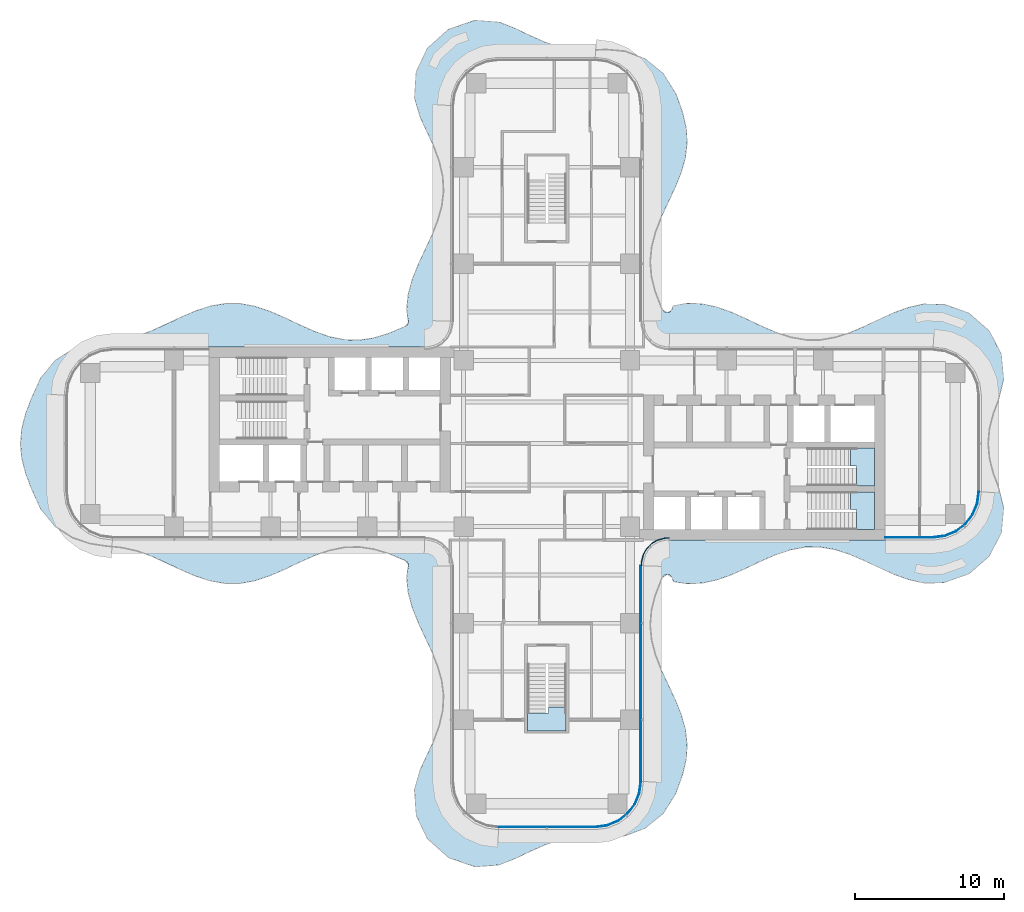
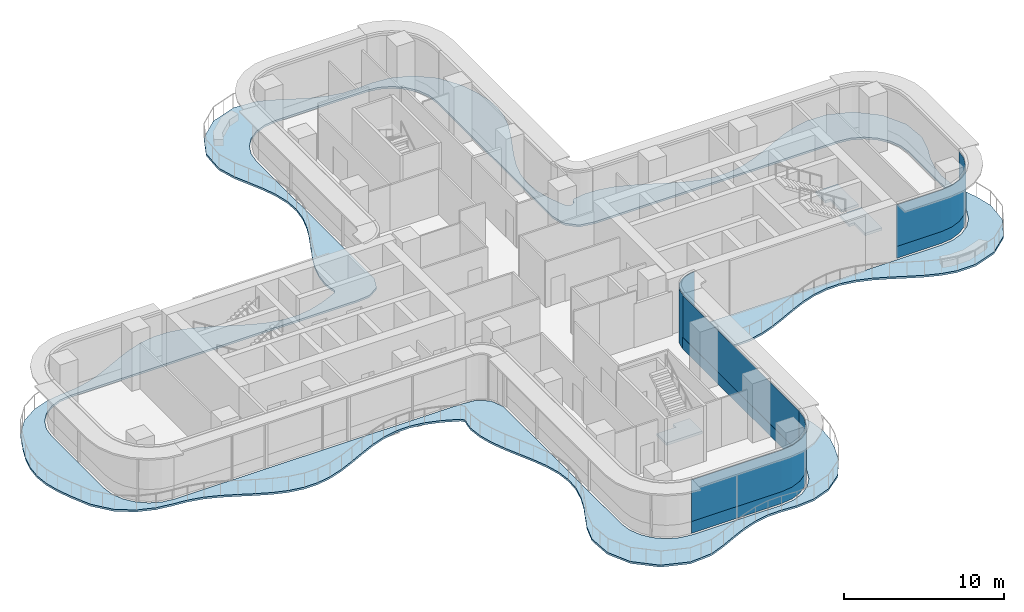
# One storey, part 13 of 20: 7 plates, 4 slabs, 7 elements without a shape of their own.
"""IFC4 building model written with IfcOpenShell, lengths in metres."""

from ifc_helpers import new_model, si_unit, direction, frame, origin, place, context, subcontext, project, spatial, polyline, outline, extrude, source, transform, mapped, material, layer, layer_set, type_object, element, aggregate, save


model = new_model("IFC4")

# Units and contexts
model_context = context("Model", 3, precision=1e-05, world=origin(), true_north=direction((0.0, 1.0)))
body_context = subcontext(model_context, "Body", "Model", "MODEL_VIEW")
ifc_project = project(units=[si_unit("LENGTHUNIT", "METRE"), si_unit("AREAUNIT", "SQUARE_METRE"), si_unit("VOLUMEUNIT", "CUBIC_METRE"), si_unit("PLANEANGLEUNIT", "RADIAN"), si_unit("MASSUNIT", "GRAM", prefix="KILO")], contexts=[model_context])

# Site, building, storey
site_placement = place(None, origin())
site = spatial("IfcSite", under=ifc_project, at=site_placement, CompositionType="ELEMENT")
building_placement = place(site_placement, origin())
building = spatial("IfcBuilding", under=site, at=building_placement, Name="Trellis Farm Tower", CompositionType="ELEMENT")
storey_placement = place(building_placement, frame((0.0, 0.0, 133.5)))
storey = spatial("IfcBuildingStorey", under=building, at=storey_placement, Name="L28", CompositionType="ELEMENT", Elevation=133.5)

# Slab
ifc_material_1 = material(Name="Concrete C40/50", Category="concrete")
ifc_layer_1 = layer(ifc_material_1, 0.14990234375)
ifc_layer_set_1 = layer_set([ifc_layer_1], Name="Balcony slab 150")
slab_type_1 = type_object("IfcSlabType", Name="Balcony slab 150", PredefinedType="FLOOR", material=ifc_layer_set_1)
slab_1_placement = place(storey_placement, frame((0.0, 0.0, -0.14990234375)))
element("IfcSlab", 1, at=slab_1_placement, inside=storey, type_object=slab_type_1, Name="Balcony slab", PredefinedType="FLOOR", context=body_context, shape_type="SweptSolid", body=[
    extrude(outline(polyline([(-9.318359375, 8.184326171875), (-9.33349609375, 8.32666015625), (-9.33740234375, 8.344482421875), (-9.363037109375, 8.413818359375), (-9.37109375, 8.44677734375), (-9.445068359375, 9.033203125), (-9.445556640625, 9.06787109375), (-9.343505859375, 10.0283203125), (-9.339111328125, 10.051513671875), (-9.082275390625, 11.005615234375), (-9.076904296875, 11.02197265625), (-8.68212890625, 12.02099609375), (-8.678466796875, 12.029296875), (-7.75634765625, 14.003662109375), (-7.7548828125, 14.00732421875), (-7.35791015625, 14.989501953125), (-7.355224609375, 14.9970703125), (-7.078369140625, 15.975830078125), (-7.075927734375, 15.9873046875), (-6.95654296875, 16.966796875), (-6.956298828125, 16.97998046875), (-7.012451171875, 17.966064453125), (-7.01416015625, 17.978515625), (-7.25439453125, 19.014404296875), (-7.257080078125, 19.023681640625), (-7.6220703125, 20.00390625), (-7.624267578125, 20.009521484375), (-8.533447265625, 21.96630859375), (-8.54150390625, 21.9873046875), (-8.906982421875, 23.22998046875), (-8.912353515625, 23.255615234375), (-8.916015625, 23.289306640625), (-8.91650390625, 23.315185546875), (-8.81298828125, 24.962890625), (-8.80859375, 24.99072265625), (-8.799560546875, 25.026123046875), (-8.7900390625, 25.052490234375), (-8.091064453125, 26.540283203125), (-8.075927734375, 26.56591796875), (-8.052978515625, 26.5966796875), (-8.033203125, 26.61865234375), (-6.68359375, 27.840576171875), (-6.659423828125, 27.8583984375), (-6.6259765625, 27.87841796875), (-6.5986328125, 27.89111328125), (-4.8828125, 28.486328125), (-4.852783203125, 28.493408203125), (-4.813720703125, 28.49853515625), (-4.781982421875, 28.499267578125), (-3.206298828125, 28.367431640625), (-3.16259765625, 28.35693359375), (-2.122802734375, 27.9365234375), (-2.114501953125, 27.932861328125), (-1.132080078125, 27.465576171875), (-1.130126953125, 27.464599609375), (-0.146240234375, 27.030029296875), (-0.14013671875, 27.027587890625), (0.8857421875, 26.67724609375), (0.89599609375, 26.674560546875), (1.88818359375, 26.48486328125), (1.900634765625, 26.483642578125), (2.872802734375, 26.464599609375), (2.87890625, 26.464599609375), (3.950927734375, 26.53173828125), (3.9736328125, 26.531494140625), (5.22509765625, 26.419921875), (5.263916015625, 26.4111328125), (6.563720703125, 25.92919921875), (6.605712890625, 25.905517578125), (7.7978515625, 24.94580078125), (7.830810546875, 24.90869140625), (8.695556640625, 23.534423828125), (8.710205078125, 23.50439453125), (9.146484375, 22.265380859375), (9.15087890625, 22.24951171875), (9.38330078125, 21.24951171875), (9.386962890625, 21.224365234375), (9.4453125, 20.252685546875), (9.4443359375, 20.225830078125), (9.328369140625, 19.256103515625), (9.323974609375, 19.2333984375), (9.0556640625, 18.2783203125), (9.05029296875, 18.2626953125), (8.64794921875, 17.263671875), (8.644775390625, 17.256103515625), (7.714599609375, 15.262939453125), (7.712890625, 15.2587890625), (7.319091796875, 14.25830078125), (7.31640625, 14.25), (7.052734375, 13.254638671875), (7.050537109375, 13.242919921875), (6.95361328125, 12.255126953125), (6.95361328125, 12.24169921875), (7.033203125, 11.260986328125), (7.03515625, 11.2490234375), (7.2783203125, 10.2705078125), (7.281005859375, 10.261962890625), (7.644287109375, 9.30615234375), (7.646484375, 9.300537109375), (7.783935546875, 9.01220703125), (7.794921875, 8.9951171875), (7.896728515625, 8.87841796875), (7.92919921875, 8.856689453125), (8.06689453125, 8.811279296875), (8.10595703125, 8.809326171875), (8.24755859375, 8.8408203125), (8.281982421875, 8.859130859375), (8.3876953125, 8.95849609375), (8.407958984375, 8.99169921875), (8.451416015625, 9.142822265625), (8.454345703125, 9.158203125), (8.455078125, 9.1708984375), (8.494384765625, 9.261962890625), (8.581787109375, 9.30859375), (9.4208984375, 9.438720703125), (9.449462890625, 9.440185546875), (10.417724609375, 9.404052734375), (10.44287109375, 9.40087890625), (11.3916015625, 9.20263671875), (11.41064453125, 9.197265625), (12.41015625, 8.84521484375), (12.421630859375, 8.8408203125), (13.40673828125, 8.40087890625), (13.409912109375, 8.3994140625), (14.407470703125, 7.92529296875), (14.40966796875, 7.92431640625), (15.411865234375, 7.48876953125), (15.418212890625, 7.486083984375), (16.416259765625, 7.156494140625), (16.426513671875, 7.154052734375), (17.418212890625, 6.977294921875), (17.43115234375, 6.97607421875), (18.41455078125, 6.974609375), (18.427490234375, 6.9755859375), (19.406494140625, 7.146484375), (19.416748046875, 7.14892578125), (20.396240234375, 7.4677734375), (20.402587890625, 7.47021484375), (21.3740234375, 7.88818359375), (21.376708984375, 7.889404296875), (22.37841796875, 8.36474609375), (22.381103515625, 8.365966796875), (23.376220703125, 8.814208984375), (23.38671875, 8.818603515625), (24.352294921875, 9.16845703125), (24.37060546875, 9.173828125), (25.3310546875, 9.38818359375), (25.36669921875, 9.3916015625), (26.74951171875, 9.36328125), (26.796142578125, 9.35498046875), (28.3486328125, 8.80859375), (28.374267578125, 8.796630859375), (28.406005859375, 8.7783203125), (28.428955078125, 8.761962890625), (29.748046875, 7.6162109375), (29.767578125, 7.595458984375), (29.79052734375, 7.56640625), (29.805908203125, 7.54248046875), (30.5830078125, 6.0341796875), (30.59375, 6.0078125), (30.60400390625, 5.97265625), (30.609375, 5.943603515625), (30.752197265625, 4.325439453125), (30.748291015625, 4.2763671875), (30.438720703125, 3.0205078125), (30.43310546875, 3.0029296875), (30.055419921875, 2.016357421875), (30.052978515625, 2.00830078125), (29.798583984375, 1.0302734375), (29.79638671875, 1.018310546875), (29.70361328125, 0.038330078125), (29.70361328125, 0.024658203125), (29.79638671875, -1.018310546875), (29.798583984375, -1.030517578125), (30.052978515625, -2.00830078125), (30.055419921875, -2.016357421875), (30.43310546875, -3.0029296875), (30.438720703125, -3.0205078125), (30.748291015625, -4.2763671875), (30.752197265625, -4.325439453125), (30.609375, -5.943603515625), (30.60400390625, -5.97265625), (30.59375, -6.0078125), (30.5830078125, -6.0341796875), (29.805908203125, -7.54248046875), (29.79052734375, -7.56640625), (29.767578125, -7.595458984375), (29.748046875, -7.6162109375), (28.428955078125, -8.761962890625), (28.406005859375, -8.7783203125), (28.37451171875, -8.79638671875), (28.348388671875, -8.80859375), (26.741455078125, -9.364990234375), (26.69482421875, -9.373046875), (25.40673828125, -9.395751953125), (25.372314453125, -9.392578125), (24.392822265625, -9.18017578125), (24.37353515625, -9.1748046875), (23.37451171875, -8.813720703125), (23.36376953125, -8.809326171875), (22.381103515625, -8.365966796875), (22.37841796875, -8.36474609375), (21.376708984375, -7.889404296875), (21.3740234375, -7.88818359375), (20.372314453125, -7.458740234375), (20.365478515625, -7.456298828125), (19.367919921875, -7.136962890625), (19.357421875, -7.134521484375), (18.366455078125, -6.970703125), (18.353271484375, -6.969482421875), (17.3701171875, -6.981689453125), (17.357421875, -6.98291015625), (16.378662109375, -7.166259765625), (16.36865234375, -7.168701171875), (15.388916015625, -7.497314453125), (15.3828125, -7.499755859375), (14.40966796875, -7.92431640625), (14.407470703125, -7.92529296875), (13.40625, -8.401123046875), (13.40283203125, -8.402587890625), (12.408447265625, -8.845947265625), (12.397216796875, -8.850341796875), (11.43310546875, -9.19091796875), (11.4140625, -9.1962890625), (10.443115234375, -9.40087890625), (10.417724609375, -9.404052734375), (9.44873046875, -9.440185546875), (9.42138671875, -9.438720703125), (8.58349609375, -9.316162109375), (8.495361328125, -9.269775390625), (8.455810546875, -9.178466796875), (8.454345703125, -9.158203125), (8.451416015625, -9.142822265625), (8.407958984375, -8.99169921875), (8.3876953125, -8.95849609375), (8.281982421875, -8.859130859375), (8.24755859375, -8.8408203125), (8.10595703125, -8.809326171875), (8.06689453125, -8.811279296875), (7.92919921875, -8.856689453125), (7.896728515625, -8.87841796875), (7.794921875, -8.995361328125), (7.783935546875, -9.011962890625), (7.658447265625, -9.27294921875), (7.656005859375, -9.27880859375), (7.281005859375, -10.261962890625), (7.2783203125, -10.2705078125), (7.03515625, -11.2490234375), (7.033203125, -11.260986328125), (6.95361328125, -12.24169921875), (6.95361328125, -12.255126953125), (7.050537109375, -13.242919921875), (7.052734375, -13.254638671875), (7.31640625, -14.25), (7.319091796875, -14.25830078125), (7.712890625, -15.2587890625), (7.714599609375, -15.262939453125), (8.644775390625, -17.25634765625), (8.64794921875, -17.263427734375), (9.044189453125, -18.244384765625), (9.049560546875, -18.260009765625), (9.32373046875, -19.233154296875), (9.328369140625, -19.256591796875), (9.4453125, -20.2568359375), (9.446044921875, -20.283935546875), (9.3828125, -21.25341796875), (9.379150390625, -21.278076171875), (9.15087890625, -22.249267578125), (9.146240234375, -22.265380859375), (8.693115234375, -23.539794921875), (8.678466796875, -23.56982421875), (7.83056640625, -24.908935546875), (7.7978515625, -24.945556640625), (6.605712890625, -25.905517578125), (6.563720703125, -25.92919921875), (5.263916015625, -26.4111328125), (5.22509765625, -26.419921875), (3.9736328125, -26.531494140625), (3.950927734375, -26.53173828125), (2.87890625, -26.464599609375), (2.872802734375, -26.464599609375), (1.900634765625, -26.483642578125), (1.88818359375, -26.48486328125), (0.89599609375, -26.674560546875), (0.8857421875, -26.67724609375), (-0.14013671875, -27.027587890625), (-0.146240234375, -27.030029296875), (-1.130126953125, -27.464599609375), (-1.132080078125, -27.465576171875), (-2.123779296875, -27.93701171875), (-2.1328125, -27.94091796875), (-3.214111328125, -28.369384765625), (-3.2578125, -28.37939453125), (-4.782470703125, -28.499267578125), (-4.813232421875, -28.49853515625), (-4.852783203125, -28.493408203125), (-4.8828125, -28.486328125), (-6.5986328125, -27.89111328125), (-6.6259765625, -27.87841796875), (-6.659423828125, -27.8583984375), (-6.68359375, -27.840576171875), (-8.033203125, -26.61865234375), (-8.052978515625, -26.5966796875), (-8.075927734375, -26.56591796875), (-8.091064453125, -26.540283203125), (-8.7900390625, -25.052490234375), (-8.799560546875, -25.026123046875), (-8.80859375, -24.99072265625), (-8.81298828125, -24.962890625), (-8.91650390625, -23.315185546875), (-8.916015625, -23.289306640625), (-8.912353515625, -23.255615234375), (-8.906982421875, -23.22998046875), (-8.54150390625, -21.9873046875), (-8.533447265625, -21.96630859375), (-7.624267578125, -20.009521484375), (-7.6220703125, -20.00390625), (-7.257080078125, -19.023681640625), (-7.25439453125, -19.014404296875), (-7.01416015625, -17.978515625), (-7.012451171875, -17.966064453125), (-6.956298828125, -16.97998046875), (-6.95654296875, -16.966796875), (-7.075927734375, -15.9873046875), (-7.078369140625, -15.975830078125), (-7.355224609375, -14.9970703125), (-7.35791015625, -14.989501953125), (-7.7548828125, -14.00732421875), (-7.75634765625, -14.003662109375), (-8.678466796875, -12.029296875), (-8.68212890625, -12.02099609375), (-9.076904296875, -11.02197265625), (-9.082275390625, -11.005615234375), (-9.339111328125, -10.051513671875), (-9.343505859375, -10.0283203125), (-9.445556640625, -9.06787109375), (-9.445068359375, -9.033203125), (-9.37109375, -8.44677734375), (-9.363037109375, -8.413818359375), (-9.33740234375, -8.344482421875), (-9.33349609375, -8.32666015625), (-9.318359375, -8.184326171875), (-9.323486328125, -8.1484375), (-9.3740234375, -8.024658203125), (-9.3955078125, -7.99560546875), (-9.506103515625, -7.904541015625), (-9.521728515625, -7.894775390625), (-9.669677734375, -7.824951171875), (-9.672607421875, -7.823486328125), (-10.655517578125, -7.41259765625), (-10.662353515625, -7.41015625), (-11.6416015625, -7.11181640625), (-11.65234375, -7.109375), (-12.631591796875, -6.964111328125), (-12.644775390625, -6.96337890625), (-13.62939453125, -6.9921875), (-13.64208984375, -6.99365234375), (-14.634765625, -7.196044921875), (-14.64453125, -7.19873046875), (-15.643310546875, -7.548095703125), (-15.649169921875, -7.550537109375), (-16.65185546875, -7.996826171875), (-16.6533203125, -7.997802734375), (-17.65380859375, -8.47314453125), (-17.658203125, -8.47509765625), (-18.63671875, -8.90185546875), (-18.6494140625, -8.90673828125), (-19.649169921875, -9.239501953125), (-19.66943359375, -9.24462890625), (-20.6162109375, -9.418701171875), (-20.641845703125, -9.421142578125), (-21.61181640625, -9.430419921875), (-21.638427734375, -9.42822265625), (-22.638916015625, -9.25830078125), (-22.659912109375, -9.253173828125), (-23.63525390625, -8.9365234375), (-23.648193359375, -8.931640625), (-24.625732421875, -8.510986328125), (-24.630859375, -8.5087890625), (-25.62451171875, -8.037109375), (-25.625732421875, -8.03662109375), (-26.6103515625, -7.59228515625), (-26.615478515625, -7.590087890625), (-27.595947265625, -7.23388671875), (-27.605224609375, -7.23095703125), (-28.6357421875, -7.00244140625), (-28.644775390625, -7.0009765625), (-29.672607421875, -6.90283203125), (-29.680908203125, -6.90185546875), (-30.761474609375, -6.73779296875), (-30.787109375, -6.7314453125), (-31.93017578125, -6.34228515625), (-31.962890625, -6.326416015625), (-33.10107421875, -5.593994140625), (-33.13623046875, -5.5625), (-34.092529296875, -4.38525390625), (-34.11279296875, -4.35205078125), (-34.71240234375, -3.0185546875), (-34.7158203125, -3.010498046875), (-35.0966796875, -2.010498046875), (-35.101806640625, -1.994873046875), (-35.353515625, -1.022216796875), (-35.357666015625, -0.99853515625), (-35.447265625, -0.029296875), (-35.447509765625, -0.002197265625), (-35.357666015625, 0.998291015625), (-35.353515625, 1.0224609375), (-35.101806640625, 1.994873046875), (-35.0966796875, 2.010498046875), (-34.7158203125, 3.010498046875), (-34.71240234375, 3.0185546875), (-34.11279296875, 4.35205078125), (-34.092529296875, 4.38525390625), (-33.13623046875, 5.5625), (-33.10107421875, 5.593994140625), (-31.962890625, 6.326416015625), (-31.93017578125, 6.34228515625), (-30.787109375, 6.7314453125), (-30.761474609375, 6.73779296875), (-29.680908203125, 6.90185546875), (-29.672607421875, 6.90283203125), (-28.644775390625, 7.0009765625), (-28.6357421875, 7.00244140625), (-27.605224609375, 7.23095703125), (-27.595947265625, 7.23388671875), (-26.615478515625, 7.590087890625), (-26.6103515625, 7.59228515625), (-25.625732421875, 8.03662109375), (-25.62451171875, 8.037109375), (-24.630859375, 8.5087890625), (-24.625732421875, 8.510986328125), (-23.648193359375, 8.931640625), (-23.63525390625, 8.9365234375), (-22.659912109375, 9.253173828125), (-22.638916015625, 9.25830078125), (-21.638427734375, 9.42822265625), (-21.61181640625, 9.430419921875), (-20.641845703125, 9.421142578125), (-20.6162109375, 9.418701171875), (-19.66943359375, 9.24462890625), (-19.649169921875, 9.239501953125), (-18.6494140625, 8.90673828125), (-18.63671875, 8.90185546875), (-17.658203125, 8.47509765625), (-17.65380859375, 8.47314453125), (-16.6533203125, 7.997802734375), (-16.65185546875, 7.996826171875), (-15.649169921875, 7.550537109375), (-15.643310546875, 7.548095703125), (-14.64453125, 7.19873046875), (-14.634765625, 7.196044921875), (-13.64208984375, 6.99365234375), (-13.62939453125, 6.9921875), (-12.64453125, 6.96337890625), (-12.631591796875, 6.964111328125), (-11.703857421875, 7.097900390625), (-11.69287109375, 7.100341796875), (-10.662841796875, 7.409912109375), (-10.655029296875, 7.412841796875), (-9.523193359375, 7.89453125), (-9.5048828125, 7.905517578125), (-9.3955078125, 7.99560546875), (-9.3740234375, 8.024658203125), (-9.323486328125, 8.1484375), (-9.318359375, 8.184326171875)]), holes=[polyline([(-7.642578125, -6.6201171875), (-6.938232421875, -7.076171875), (-6.903564453125, -7.107177734375), (-6.8671875, -7.151611328125), (-6.84375, -7.191650390625), (-6.529541015625, -7.9912109375), (-6.52197265625, -8.01708984375), (-6.51513671875, -8.0517578125), (-6.512451171875, -8.07861328125), (-6.50048828125, -8.98486328125), (-6.50048828125, -22.75), (-6.389892578125, -23.59130859375), (-6.065185546875, -24.375244140625), (-5.548583984375, -25.048583984375), (-4.875244140625, -25.565185546875), (-4.09130859375, -25.889892578125), (-3.25, -26.00048828125), (3.25, -26.00048828125), (4.09130859375, -25.889892578125), (4.875244140625, -25.565185546875), (5.548583984375, -25.048583984375), (6.065185546875, -24.375244140625), (6.389892578125, -23.59130859375), (6.50048828125, -22.75), (6.50048828125, -8.326416015625), (6.504150390625, -8.29638671875), (6.718017578125, -7.40869140625), (6.734375, -7.367919921875), (6.761474609375, -7.32177734375), (6.78857421875, -7.2880859375), (7.39697265625, -6.719970703125), (7.432373046875, -6.6953125), (7.48046875, -6.67138671875), (7.521728515625, -6.657958984375), (8.4248046875, -6.502197265625), (8.443115234375, -6.50048828125), (26.0, -6.50048828125), (26.84130859375, -6.389892578125), (27.625244140625, -6.065185546875), (28.298583984375, -5.548583984375), (28.815185546875, -4.875244140625), (29.139892578125, -4.09130859375), (29.25048828125, -3.25), (29.25048828125, 3.25), (29.139892578125, 4.09130859375), (28.815185546875, 4.875244140625), (28.298583984375, 5.548583984375), (27.625244140625, 6.065185546875), (26.84130859375, 6.389892578125), (26.0, 6.50048828125), (8.443115234375, 6.50048828125), (8.4248046875, 6.502197265625), (7.521728515625, 6.657958984375), (7.48046875, 6.67138671875), (7.432373046875, 6.6953125), (7.39697265625, 6.719970703125), (6.78857421875, 7.2880859375), (6.761474609375, 7.32177734375), (6.734375, 7.367919921875), (6.718017578125, 7.40869140625), (6.504150390625, 8.29638671875), (6.50048828125, 8.326416015625), (6.50048828125, 22.75), (6.389892578125, 23.59130859375), (6.065185546875, 24.375244140625), (5.548583984375, 25.048583984375), (4.875244140625, 25.565185546875), (4.09130859375, 25.889892578125), (3.25, 26.00048828125), (-3.25, 26.00048828125), (-4.09130859375, 25.889892578125), (-4.875244140625, 25.565185546875), (-5.548583984375, 25.048583984375), (-6.065185546875, 24.375244140625), (-6.389892578125, 23.59130859375), (-6.50048828125, 22.75), (-6.50048828125, 8.98486328125), (-6.512451171875, 8.07861328125), (-6.51513671875, 8.0517578125), (-6.52197265625, 8.01708984375), (-6.529541015625, 7.9912109375), (-6.84375, 7.191650390625), (-6.8671875, 7.151611328125), (-6.903564453125, 7.107177734375), (-6.938232421875, 7.076171875), (-7.642578125, 6.6201171875), (-7.67529296875, 6.604248046875), (-7.718994140625, 6.589111328125), (-7.7548828125, 6.58154296875), (-8.682373046875, 6.50048828125), (-29.25, 6.50048828125), (-30.09130859375, 6.389892578125), (-30.875244140625, 6.065185546875), (-31.548583984375, 5.548583984375), (-32.065185546875, 4.875244140625), (-32.389892578125, 4.09130859375), (-32.50048828125, 3.25), (-32.50048828125, -3.25), (-32.389892578125, -4.09130859375), (-32.065185546875, -4.875244140625), (-31.548583984375, -5.548583984375), (-30.875244140625, -6.065185546875), (-30.09130859375, -6.389892578125), (-29.25, -6.50048828125), (-8.682373046875, -6.50048828125), (-7.7548828125, -6.58154296875), (-7.718994140625, -6.589111328125), (-7.67529296875, -6.604248046875), (-7.642578125, -6.6201171875)])]), origin(), (0.0, 0.0, 1.0), 0.14990234375),
])

# Stair, slab
ifc_material_2 = material(Name="Concrete C50/60", Category="concrete")
stair_type = type_object("IfcStairType", Name="CORE EXIT STAIR 26 RISERS 173 MM", PredefinedType="HALF_TURN_STAIR", material=ifc_material_2)
placement_1 = place(storey_placement, origin())
stair_1 = element("IfcStair", 2, at=placement_1, inside=storey, type_object=stair_type, Name="Exit stair S", PredefinedType="HALF_TURN_STAIR")
ifc_layer_2 = layer(ifc_material_2, 0.18994140625)
ifc_layer_set_2 = layer_set([ifc_layer_2], Name="CORE STAIR LANDING 190 CONCRETE C50/60")
slab_type_2 = type_object("IfcSlabType", Name="CORE STAIR LANDING 190 CONCRETE C50/60", PredefinedType="LANDING", material=ifc_layer_set_2)
shared_shape_1 = source(origin(), body_context, "Body", "SweptSolid", [
    extrude(outline(polyline([(1.300048828125, -19.35009765625), (-1.300048828125, -19.35009765625), (-1.300048828125, -18.14990234375), (-1.300048828125, -18.139892578125), (-0.10009765625, -18.139892578125), (-0.10009765625, -18.14990234375), (0.10009765625, -18.14990234375), (0.10009765625, -17.753173828125), (1.300048828125, -17.753173828125), (1.300048828125, -18.14990234375), (1.300048828125, -19.35009765625)])), origin(), (0.0, 0.0, 1.0), 0.18994140625),
])
placement_2 = place(storey_placement, frame((0.0, 0.0, 2.06005859375)))
slab_2 = element("IfcSlab", 3, at=placement_2, type_object=slab_type_2, Name="STS landing 1", PredefinedType="LANDING", context=body_context, shape_type="MappedRepresentation", body=[
    mapped(shared_shape_1, transform((0.0, 0.0, 0.0))),
])
aggregate(stair_1, [slab_2])

stair_2 = element("IfcStair", 4, at=placement_1, inside=storey, type_object=stair_type, Name="Exit stair E1", PredefinedType="HALF_TURN_STAIR")
shared_shape_2 = source(origin(), body_context, "Body", "SweptSolid", [
    extrude(outline(polyline([(20.840087890625, -5.800048828125), (20.840087890625, -4.60009765625), (20.85009765625, -4.60009765625), (20.85009765625, -4.449951171875), (20.453125, -4.449951171875), (20.453125, -3.25), (20.85009765625, -3.25), (22.050048828125, -3.25), (22.050048828125, -5.800048828125), (20.85009765625, -5.800048828125), (20.840087890625, -5.800048828125)])), origin(), (0.0, 0.0, 1.0), 0.18994140625),
])
slab_3 = element("IfcSlab", 5, at=placement_2, type_object=slab_type_2, Name="STE1 landing 1", PredefinedType="LANDING", context=body_context, shape_type="MappedRepresentation", body=[
    mapped(shared_shape_2, transform((0.0, 0.0, 0.0))),
])
aggregate(stair_2, [slab_3])

stair_3 = element("IfcStair", 6, at=placement_1, inside=storey, type_object=stair_type, Name="Exit stair E2", PredefinedType="HALF_TURN_STAIR")
shared_shape_3 = source(origin(), body_context, "Body", "SweptSolid", [
    extrude(outline(polyline([(20.840087890625, -2.85009765625), (20.840087890625, -1.64990234375), (20.85009765625, -1.64990234375), (20.85009765625, -1.5), (20.453125, -1.5), (20.453125, -0.300048828125), (20.85009765625, -0.300048828125), (22.050048828125, -0.300048828125), (22.050048828125, -2.85009765625), (20.85009765625, -2.85009765625), (20.840087890625, -2.85009765625)])), origin(), (0.0, 0.0, 1.0), 0.18994140625),
])
slab_4 = element("IfcSlab", 7, at=placement_2, type_object=slab_type_2, Name="STE2 landing 1", PredefinedType="LANDING", context=body_context, shape_type="MappedRepresentation", body=[
    mapped(shared_shape_3, transform((0.0, 0.0, 0.0))),
])
aggregate(stair_3, [slab_4])

# Curtain wall, plate
ifc_material_3 = material(Name="Aluminium and glass curtain wall", Category="aluminium")
ifc_layer_3 = layer(ifc_material_3, 0.166015625)
ifc_layer_set_3 = layer_set([ifc_layer_3], Name="WINTER GARDEN CURTAIN WALL CW3")
curtain_wall_type_1 = type_object("IfcCurtainWallType", Name="WINTER GARDEN CURTAIN WALL CW3", PredefinedType="NOTDEFINED", material=ifc_layer_set_3)
curtain_wall_1 = element("IfcCurtainWall", 8, at=placement_1, inside=storey, type_object=curtain_wall_type_1, Name="CW3 002", PredefinedType="NOTDEFINED")
ifc_material_4 = material(Name="Clear insulated glass", Category="glass")
ifc_layer_4 = layer(ifc_material_4, 0.0458984375)
ifc_layer_set_4 = layer_set([ifc_layer_4], Name="CW3 GLASS PANEL 46")
plate_type_1 = type_object("IfcPlateType", Name="CW3 GLASS PANEL 46", PredefinedType="CURTAIN_PANEL", material=ifc_layer_set_4)
shared_shape_4 = source(origin(), body_context, "Body", "SweptSolid", [
    extrude(outline(polyline([(6.3798828125, -8.2275390625), (6.394287109375, -8.0078125), (6.40966796875, -7.89208984375), (6.52490234375, -7.462158203125), (6.7509765625, -7.070556640625), (7.070556640625, -6.7509765625), (7.462158203125, -6.52490234375), (7.89208984375, -6.40966796875), (8.0078125, -6.394287109375), (8.2275390625, -6.3798828125), (8.22607421875, -6.333984375), (8.003173828125, -6.3486328125), (7.883056640625, -6.364501953125), (7.4443359375, -6.48193359375), (7.04248046875, -6.714111328125), (6.714111328125, -7.04248046875), (6.48193359375, -7.4443359375), (6.364501953125, -7.883056640625), (6.3486328125, -8.003173828125), (6.333984375, -8.22607421875), (6.3798828125, -8.2275390625)])), origin(), (0.0, 0.0, 1.0), 4.10009765625),
])
plate_1 = element("IfcPlate", 9, at=placement_1, type_object=plate_type_1, Name="PL3 002", PredefinedType="CURTAIN_PANEL", context=body_context, shape_type="MappedRepresentation", body=[
    mapped(shared_shape_4, transform((0.0, 0.0, 0.0))),
])
aggregate(curtain_wall_1, [plate_1])

# Curtain wall, plates
ifc_layer_5 = layer(ifc_material_3, 0.18994140625)
ifc_layer_set_5 = layer_set([ifc_layer_5], Name="RIBBON CURTAIN WALL CW1")
curtain_wall_type_2 = type_object("IfcCurtainWallType", Name="RIBBON CURTAIN WALL CW1", PredefinedType="NOTDEFINED", material=ifc_layer_set_5)
curtain_wall_2 = element("IfcCurtainWall", 10, at=placement_1, inside=storey, type_object=curtain_wall_type_2, Name="CW1 005", PredefinedType="NOTDEFINED")
ifc_layer_6 = layer(ifc_material_4, 0.0400390625)
ifc_layer_set_6 = layer_set([ifc_layer_6], Name="CW1 GLASS PANEL 40")
plate_type_2 = type_object("IfcPlateType", Name="CW1 GLASS PANEL 40", PredefinedType="CURTAIN_PANEL", material=ifc_layer_set_6)
shared_shape_5 = source(origin(), body_context, "Body", "SweptSolid", [
    extrude(outline(polyline([(22.780029296875, -6.35009765625), (25.990234375, -6.35009765625), (26.802001953125, -6.2431640625), (27.54931640625, -5.93359375), (28.191162109375, -5.441162109375), (28.68359375, -4.79931640625), (28.9931640625, -4.052001953125), (29.10009765625, -3.240234375), (29.06005859375, -3.237548828125), (28.9541015625, -4.04150390625), (28.648681640625, -4.779296875), (28.16259765625, -5.41259765625), (27.529296875, -5.898681640625), (26.79150390625, -6.2041015625), (25.987548828125, -6.31005859375), (22.780029296875, -6.31005859375), (22.780029296875, -6.35009765625)])), origin(), (0.0, 0.0, 1.0), 3.170166015625),
])
placement_3 = place(storey_placement, frame((0.0, 0.0, 0.89990234375)))
plate_2 = element("IfcPlate", 11, at=placement_3, type_object=plate_type_2, Name="PL1 005", PredefinedType="CURTAIN_PANEL", context=body_context, shape_type="MappedRepresentation", body=[
    mapped(shared_shape_5, transform((0.0, 0.0, 0.0))),
])
ifc_material_5 = material(Name="Sandstone faced insulated panel", Category="masonry")
ifc_layer_7 = layer(ifc_material_5, 0.050048828125)
ifc_layer_set_7 = layer_set([ifc_layer_7], Name="CW1 STONE SPANDREL PANEL 50")
plate_type_3 = type_object("IfcPlateType", Name="CW1 STONE SPANDREL PANEL 50", PredefinedType="CURTAIN_PANEL", material=ifc_layer_set_7)
shared_shape_6 = source(origin(), body_context, "Body", "SweptSolid", [
    extrude(outline(polyline([(22.780029296875, -6.35009765625), (25.990234375, -6.35009765625), (26.802001953125, -6.2431640625), (27.54931640625, -5.93359375), (28.191162109375, -5.441162109375), (28.68359375, -4.79931640625), (28.9931640625, -4.052001953125), (29.10009765625, -3.240234375), (29.050048828125, -3.23681640625), (28.9443359375, -4.0390625), (28.639892578125, -4.774169921875), (28.155517578125, -5.405517578125), (27.524169921875, -5.889892578125), (26.7890625, -6.1943359375), (25.98681640625, -6.300048828125), (22.780029296875, -6.300048828125), (22.780029296875, -6.35009765625)])), origin(), (0.0, 0.0, 1.0), 0.89990234375),
])
plate_3 = element("IfcPlate", 12, at=placement_1, type_object=plate_type_3, Name="PS1 005", PredefinedType="CURTAIN_PANEL", context=body_context, shape_type="MappedRepresentation", body=[
    mapped(shared_shape_6, transform((0.0, 0.0, 0.0))),
])
aggregate(curtain_wall_2, [plate_2, plate_3])

curtain_wall_3 = element("IfcCurtainWall", 13, at=placement_1, inside=storey, type_object=curtain_wall_type_2, Name="CW1 004", PredefinedType="NOTDEFINED")
shared_shape_7 = source(origin(), body_context, "Body", "SweptSolid", [
    extrude(outline(polyline([(6.35009765625, -22.740234375), (6.35009765625, -8.2265625), (6.31005859375, -8.22509765625), (6.31005859375, -22.737548828125), (6.35009765625, -22.740234375)])), origin(), (0.0, 0.0, 1.0), 3.170166015625),
])
plate_4 = element("IfcPlate", 14, at=placement_3, type_object=plate_type_2, Name="PL1 004", PredefinedType="CURTAIN_PANEL", context=body_context, shape_type="MappedRepresentation", body=[
    mapped(shared_shape_7, transform((0.0, 0.0, 0.0))),
])
shared_shape_8 = source(origin(), body_context, "Body", "SweptSolid", [
    extrude(outline(polyline([(6.35009765625, -22.740234375), (6.35009765625, -8.2265625), (6.300048828125, -8.224853515625), (6.300048828125, -22.73681640625), (6.35009765625, -22.740234375)])), origin(), (0.0, 0.0, 1.0), 0.89990234375),
])
plate_5 = element("IfcPlate", 15, at=placement_1, type_object=plate_type_3, Name="PS1 004", PredefinedType="CURTAIN_PANEL", context=body_context, shape_type="MappedRepresentation", body=[
    mapped(shared_shape_8, transform((0.0, 0.0, 0.0))),
])
aggregate(curtain_wall_3, [plate_4, plate_5])

curtain_wall_4 = element("IfcCurtainWall", 16, at=placement_1, inside=storey, type_object=curtain_wall_type_2, Name="CW1 003", PredefinedType="NOTDEFINED")
shared_shape_9 = source(origin(), body_context, "Body", "SweptSolid", [
    extrude(outline(polyline([(-3.240234375, -25.85009765625), (3.240234375, -25.85009765625), (4.052001953125, -25.7431640625), (4.79931640625, -25.43359375), (5.441162109375, -24.941162109375), (5.93359375, -24.29931640625), (6.2431640625, -23.552001953125), (6.35009765625, -22.740234375), (6.31005859375, -22.737548828125), (6.2041015625, -23.54150390625), (5.898681640625, -24.279296875), (5.41259765625, -24.91259765625), (4.779296875, -25.398681640625), (4.04150390625, -25.7041015625), (3.237548828125, -25.81005859375), (-3.237548828125, -25.81005859375), (-3.240234375, -25.85009765625)])), origin(), (0.0, 0.0, 1.0), 3.170166015625),
])
plate_6 = element("IfcPlate", 17, at=placement_3, type_object=plate_type_2, Name="PL1 003", PredefinedType="CURTAIN_PANEL", context=body_context, shape_type="MappedRepresentation", body=[
    mapped(shared_shape_9, transform((0.0, 0.0, 0.0))),
])
shared_shape_10 = source(origin(), body_context, "Body", "SweptSolid", [
    extrude(outline(polyline([(-3.240234375, -25.85009765625), (3.240234375, -25.85009765625), (4.052001953125, -25.7431640625), (4.79931640625, -25.43359375), (5.441162109375, -24.941162109375), (5.93359375, -24.29931640625), (6.2431640625, -23.552001953125), (6.35009765625, -22.740234375), (6.300048828125, -22.73681640625), (6.1943359375, -23.5390625), (5.889892578125, -24.274169921875), (5.405517578125, -24.905517578125), (4.774169921875, -25.389892578125), (4.0390625, -25.6943359375), (3.23681640625, -25.800048828125), (-3.23681640625, -25.800048828125), (-3.240234375, -25.85009765625)])), origin(), (0.0, 0.0, 1.0), 0.89990234375),
])
plate_7 = element("IfcPlate", 18, at=placement_1, type_object=plate_type_3, Name="PS1 003", PredefinedType="CURTAIN_PANEL", context=body_context, shape_type="MappedRepresentation", body=[
    mapped(shared_shape_10, transform((0.0, 0.0, 0.0))),
])
aggregate(curtain_wall_4, [plate_6, plate_7])

save(model, "model.ifc")
